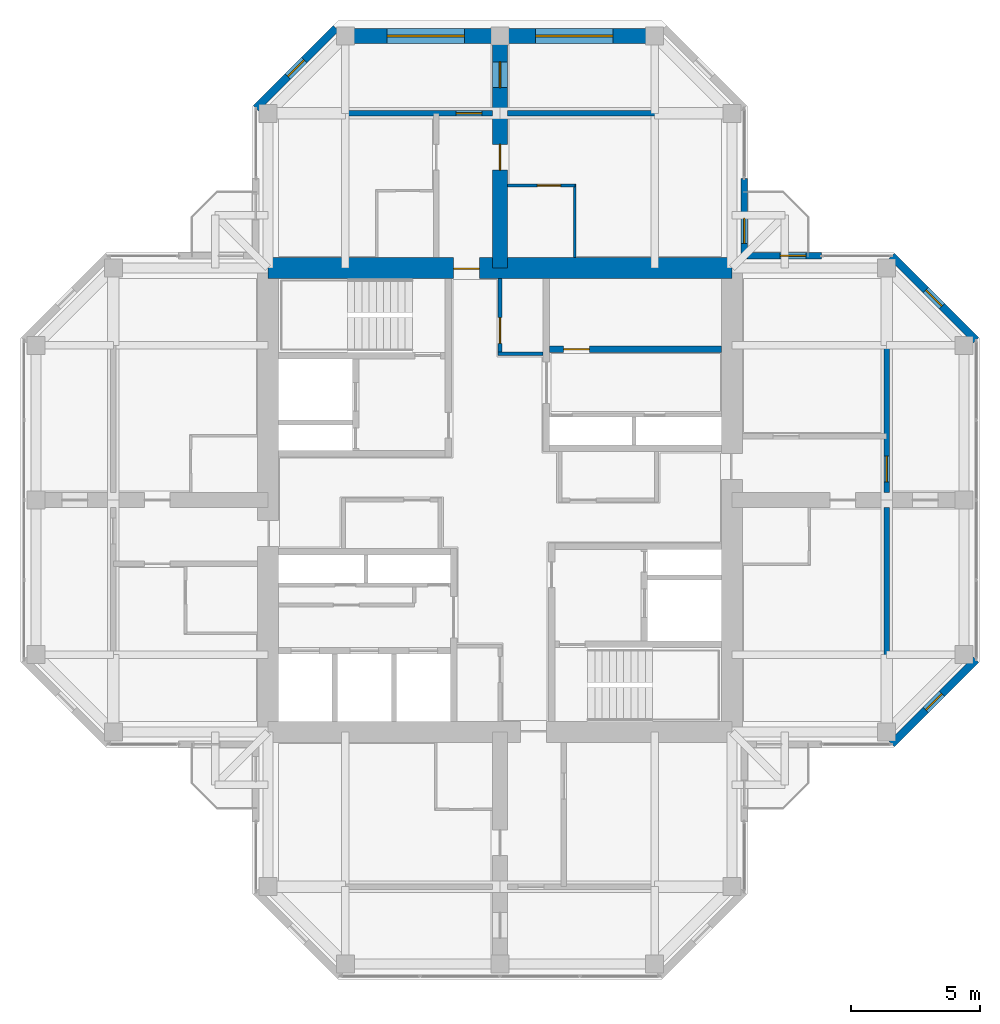
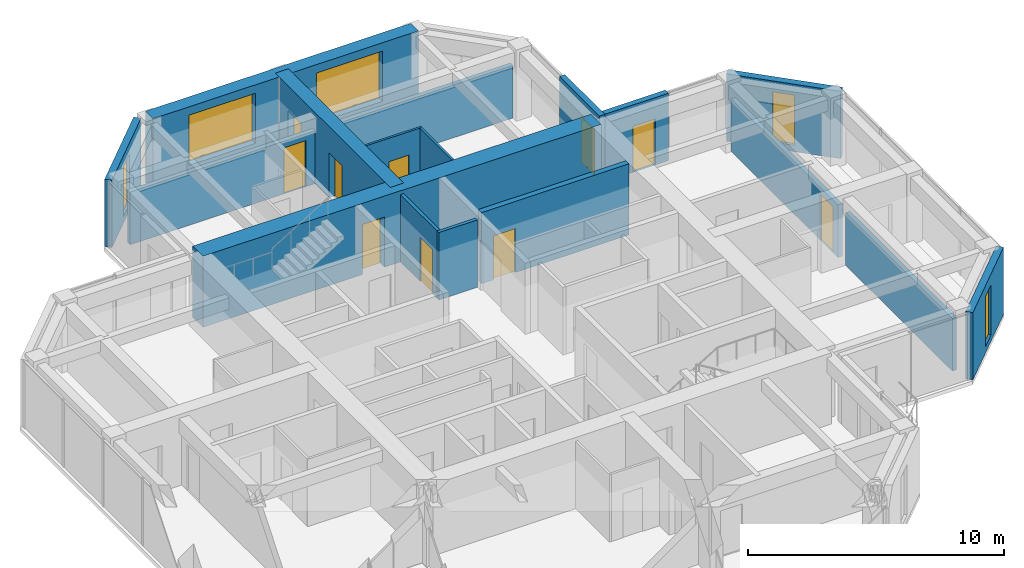
# One storey, part 11 of 13: 17 walls, 10 doors, 5 windows, 15 openings.
"""IFC4 building model written with IfcOpenShell, lengths in metres."""

import ifcopenshell
import ifcopenshell.guid

model = None  # the IFC model being written
_history = None  # IfcOwnerHistory: only IFC2X3 demands one
_inside = {}  # id of a spatial element -> (the spatial element, [elements in it])
_under = {}  # id of a project, library or spatial element -> (it, [spatial elements below it])
_declared = {}  # id of a project -> (the project, [libraries it declares])
_typed = {}  # id of a type object -> (the type object, [elements of that type])
_made_of = {}  # id of a material, layer set ... -> (it, [elements and type objects made of it])


def new_model(schema):
    """Start an empty IFC model of exactly this schema.

    Asked for "IFC4X3", IfcOpenShell would pick the latest addendum, in which some entities
    have other attributes; the version numbers below select the first issue.
    IFC2X3 requires an IfcOwnerHistory on every rooted entity: one is made here for all.
    """
    global model, _history
    if schema == "IFC4X3":
        model = ifcopenshell.file(schema_version=(4, 3, 0, 0))
    else:
        model = ifcopenshell.file(schema=schema)
    _inside.clear()
    _under.clear()
    _declared.clear()
    _typed.clear()
    _made_of.clear()
    _history = None
    if model.schema == "IFC2X3":
        org = make("IfcOrganization", Name="unknown")
        user = make(
            "IfcPersonAndOrganization",
            ThePerson=make("IfcPerson", FamilyName="unknown"),
            TheOrganization=org,
        )
        app = make(
            "IfcApplication",
            ApplicationDeveloper=org,
            Version="unknown",
            ApplicationFullName="unknown",
            ApplicationIdentifier="unknown",
        )
        _history = make(
            "IfcOwnerHistory",
            OwningUser=user,
            OwningApplication=app,
            ChangeAction="ADDED",
            CreationDate=0,
        )
    return model


def make(cls, **values):
    """One entity of the class cls with the attributes given. An attribute that is None is left unset."""
    return model.create_entity(
        cls, **{name: value for name, value in values.items() if value is not None}
    )


def rooted(cls, **values):
    """An entity with a GlobalId (a new one), such as an element, a storey or a relation."""
    return make(cls, GlobalId=ifcopenshell.guid.new(), OwnerHistory=_history, **values)


def si_unit(unit_type, name, prefix=None):
    """IfcSIUnit, for example si_unit("LENGTHUNIT", "METRE", prefix="MILLI")."""
    return make("IfcSIUnit", UnitType=unit_type, Prefix=prefix, Name=name)


def assignment(units):
    """IfcUnitAssignment: the units of a project."""
    return None if units is None else make("IfcUnitAssignment", Units=units)


def point(xyz):
    """IfcCartesianPoint."""
    return None if xyz is None else make("IfcCartesianPoint", Coordinates=xyz)


def direction(xyz):
    """IfcDirection."""
    return None if xyz is None else make("IfcDirection", DirectionRatios=xyz)


def frame(location, z_axis=None, x_axis=None):
    """IfcAxis2Placement3D, a coordinate frame: its origin and axes. An axis left out is left unset."""
    return make(
        "IfcAxis2Placement3D",
        Location=point(location),
        Axis=direction(z_axis),
        RefDirection=direction(x_axis),
    )


def frame_2d(location, x_axis=None):
    """IfcAxis2Placement2D, a coordinate frame in the plane: its origin and x axis."""
    return make(
        "IfcAxis2Placement2D", Location=point(location), RefDirection=direction(x_axis)
    )


def origin():
    """The frame at (0, 0, 0) with its axes left unset."""
    return frame((0.0, 0.0, 0.0))


def place(relative_to, where):
    """IfcLocalPlacement: puts the frame where relative to a parent placement (None: the world)."""
    return make(
        "IfcLocalPlacement", PlacementRelTo=relative_to, RelativePlacement=where
    )


def context(
    kind, dimensions, precision=None, world=None, true_north=None, identifier=None
):
    """IfcGeometricRepresentationContext, for example the 3D "Model" context."""
    return make(
        "IfcGeometricRepresentationContext",
        ContextIdentifier=identifier,
        ContextType=kind,
        CoordinateSpaceDimension=dimensions,
        Precision=precision,
        WorldCoordinateSystem=world,
        TrueNorth=true_north,
    )


def subcontext(parent, identifier, kind, view, scale=None):
    """IfcGeometricRepresentationSubContext, for example "Body" below "Model"."""
    return make(
        "IfcGeometricRepresentationSubContext",
        ContextIdentifier=identifier,
        ContextType=kind,
        ParentContext=parent,
        TargetScale=scale,
        TargetView=view,
    )


def project(units=None, contexts=None):
    """IfcProject with its units and contexts."""
    return rooted(
        "IfcProject",
        Name="project",
        RepresentationContexts=contexts,
        UnitsInContext=assignment(units),
    )


def spatial(cls, under=None, at=None, **own):
    """A site, building, storey or space (cls), placed at a placement, below another one or the project."""
    s = rooted(cls, ObjectPlacement=at, **own)
    if under is not None:
        _under.setdefault(under.id(), (under, []))[1].append(s)
    return s


def profile(cls, at=None, kind="AREA", **sizes):
    """A parametric profile (cls). Its sizes go by their IFC names, for example OverallWidth=200.0."""
    return make(cls, ProfileType=kind, Position=at, **sizes)


def rectangle(**sizes):
    """IfcRectangleProfileDef."""
    return profile("IfcRectangleProfileDef", **sizes)


def hollow_rectangle(**sizes):
    """IfcRectangleHollowProfileDef."""
    return profile("IfcRectangleHollowProfileDef", **sizes)


def extrude(swept, where, along, depth):
    """IfcExtrudedAreaSolid: the profile swept, set in the frame where, extruded along a direction by depth."""
    return make(
        "IfcExtrudedAreaSolid",
        SweptArea=swept,
        Position=where,
        ExtrudedDirection=direction(along),
        Depth=depth,
    )


def shape(context_of_items, identifier, shape_type, items):
    """IfcShapeRepresentation: the items that make up one representation, for example the "Body"."""
    return make(
        "IfcShapeRepresentation",
        ContextOfItems=context_of_items,
        RepresentationIdentifier=identifier,
        RepresentationType=shape_type,
        Items=items,
    )


def material(Name=None, Category=None):
    """IfcMaterial."""
    return make("IfcMaterial", Name=Name, Category=Category)


def layer(
    of_material, thickness, ventilated=None, Name=None, Category=None, Priority=None
):
    """IfcMaterialLayer: one layer of a wall or slab, of a material (None: an air gap)."""
    return make(
        "IfcMaterialLayer",
        Material=of_material,
        LayerThickness=thickness,
        IsVentilated=ventilated,
        Name=Name,
        Category=Category,
        Priority=Priority,
    )


def layer_set(layers, Name=None):
    """IfcMaterialLayerSet."""
    return make("IfcMaterialLayerSet", MaterialLayers=layers, LayerSetName=Name)


def constituent(of_material, Name=None, Category=None, fraction=None):
    """IfcMaterialConstituent: one of the materials an element consists of."""
    return make(
        "IfcMaterialConstituent",
        Name=Name,
        Material=of_material,
        Fraction=fraction,
        Category=Category,
    )


def constituent_set(constituents=None, Name=None):
    """IfcMaterialConstituentSet."""
    return make(
        "IfcMaterialConstituentSet", Name=Name, MaterialConstituents=constituents
    )


def made_of(thing, what):
    """Note that an element or type object is made of a material, layer set ...; save() writes the relation."""
    if what is not None:
        _made_of.setdefault(what.id(), (what, []))[1].append(thing)
    return thing


def type_object(cls, material=None, **own):
    """A type object (cls), such as IfcWallType, which elements share."""
    return made_of(rooted(cls, **own), material)


def element(
    cls,
    number,
    at=None,
    inside=None,
    cuts=None,
    type_object=None,
    material=None,
    context=None,
    identifier="Body",
    shape_type=None,
    held_by="IfcProductDefinitionShape",
    body=None,
    shapes=None,
    **own,
):
    """One element of the class cls, such as IfcWall. Its Tag is "e" and its number.

    at: its placement. inside: the storey or other place that contains it. cuts: it is an
    opening in that element (IfcRelVoidsElement). A single representation is given by context,
    identifier, shape_type and body (its items); several are given by shapes. held_by: the class
    of the entity that holds the representations. save() writes the other relations.
    """
    e = rooted(cls, Tag="e%d" % number, ObjectPlacement=at, **own)
    if body is not None:
        shapes = [shape(context, identifier, shape_type, body)]
    if shapes is not None:
        e.Representation = make(held_by, Representations=shapes)
    if inside is not None:
        _inside.setdefault(inside.id(), (inside, []))[1].append(e)
    if cuts is not None:
        rooted(
            "IfcRelVoidsElement", RelatingBuildingElement=cuts, RelatedOpeningElement=e
        )
    if type_object is not None:
        _typed.setdefault(type_object.id(), (type_object, []))[1].append(e)
    return made_of(e, material)


def fill(opening, filler):
    """IfcRelFillsElement: the door or window that sits in an opening."""
    return rooted(
        "IfcRelFillsElement",
        RelatingOpeningElement=opening,
        RelatedBuildingElement=filler,
    )


def aggregate(whole, parts):
    """IfcRelAggregates: a whole, such as a stair, and the parts it consists of."""
    return rooted("IfcRelAggregates", RelatingObject=whole, RelatedObjects=parts)


def save(model, path):
    """Write the relations noted so far, then the file.

    IfcRelAggregates (storeys below a building ...), IfcRelContainedInSpatialStructure (elements
    in a storey), IfcRelDefinesByType, IfcRelAssociatesMaterial and IfcRelDeclares: one each for
    every whole, place, type object, material and project.
    """
    for whole, parts in _under.values():
        aggregate(whole, parts)
    for where, things in _inside.values():
        rooted(
            "IfcRelContainedInSpatialStructure",
            RelatedElements=things,
            RelatingStructure=where,
        )
    for kind, things in _typed.values():
        rooted("IfcRelDefinesByType", RelatedObjects=things, RelatingType=kind)
    for what, things in _made_of.values():
        rooted("IfcRelAssociatesMaterial", RelatedObjects=things, RelatingMaterial=what)
    for by, libraries in _declared.values():
        rooted("IfcRelDeclares", RelatingContext=by, RelatedDefinitions=libraries)
    model.write(path)


model = new_model("IFC4")

# Units and contexts
model_context = context("Model", 3, precision=1e-05, world=origin(), true_north=direction((0.0, 1.0)))
body_context = subcontext(model_context, "Body", "Model", "MODEL_VIEW")
ifc_project = project(units=[si_unit("LENGTHUNIT", "METRE"), si_unit("AREAUNIT", "SQUARE_METRE"), si_unit("VOLUMEUNIT", "CUBIC_METRE"), si_unit("PLANEANGLEUNIT", "RADIAN"), si_unit("MASSUNIT", "GRAM", prefix="KILO")], contexts=[model_context])

# Site, building, storey
site_placement = place(None, origin())
site = spatial("IfcSite", under=ifc_project, at=site_placement, CompositionType="ELEMENT")
building_placement = place(site_placement, origin())
building = spatial("IfcBuilding", under=site, at=building_placement, Name="Torre Cruceta", CompositionType="ELEMENT")
storey_placement = place(building_placement, frame((0.0, 0.0, 267.89990234375)))
storey = spatial("IfcBuildingStorey", under=building, at=storey_placement, Name="L69", CompositionType="ELEMENT", Elevation=267.89990234375)

# Wall
ifc_material_1 = material(Name="Water-resistant plasterboard on steel studs", Category="steel")
ifc_layer_1 = layer(ifc_material_1, 0.10009765625)
ifc_layer_set_1 = layer_set([ifc_layer_1], Name="Water-resistant plasterboard on steel studs")
wall_type_1 = type_object("IfcWallType", Name="BATHROOM WALL 100", PredefinedType="PARTITIONING", material=ifc_layer_set_1)
wall_1_placement = place(storey_placement, frame((2.89990234375, 9.39990234375, 0.0), z_axis=(0.0, 0.0, 1.0), x_axis=(0.0, 1.0, 0.0)))
element("IfcWall", 1, at=wall_1_placement, inside=storey, type_object=wall_type_1, Name="PT4 L69-N-U1RBB", PredefinedType="PARTITIONING", context=body_context, shape_type="SweptSolid", body=[
    extrude(rectangle(XDim=2.85009765625, YDim=0.10009765625, at=frame_2d((1.425048828125, 0.0))), origin(), (0.0, 0.0, 1.0), 3.22021484375),
])

# Wall, opening, door
wall_2_placement = place(storey_placement, frame((2.89990234375, 12.199951171875, 0.0), z_axis=(0.0, 0.0, 1.0), x_axis=(-1.0, 0.0, 0.0)))
wall_2 = element("IfcWall", 2, at=wall_2_placement, inside=storey, type_object=wall_type_1, Name="PT4 L69-N-U1RBS", PredefinedType="PARTITIONING", context=body_context, shape_type="SweptSolid", body=[
    extrude(rectangle(XDim=2.599853515625, YDim=0.10009765625, at=frame_2d((1.2998046875, 0.0))), origin(), (0.0, 0.0, 1.0), 3.22021484375),
])
opening_1_placement = place(wall_2_placement, frame((0.550048828125, 0.0, 0.0)))
opening_1 = element("IfcOpeningElement", 3, at=opening_1_placement, cuts=wall_2, Name="Opening D7", PredefinedType="OPENING", context=body_context, shape_type="SweptSolid", body=[
    extrude(rectangle(XDim=0.89990234375, YDim=2.10009765625, at=frame_2d((0.449951171875, 1.050048828125))), frame((0.0, 0.06005859375, 0.0), z_axis=(0.0, -1.0, 0.0), x_axis=(1.0, 0.0, 0.0)), (0.0, 0.0, 1.0), 0.1201171875),
])
ifc_material_2 = material(Name="Timber door", Category="wood")
door_type_1 = type_object("IfcDoorType", Name="BATHROOM DOOR 900X2100", OperationType="SINGLE_SWING_LEFT", PredefinedType="DOOR", material=ifc_material_2)
door_1_placement = place(opening_1_placement, origin())
door_1 = element("IfcDoor", 4, at=door_1_placement, inside=storey, type_object=door_type_1, Name="D7 L69-N-U1RBS-D1", OperationType="SINGLE_SWING_LEFT", OverallHeight=2.10009765625, OverallWidth=0.89990234375, PredefinedType="DOOR", context=body_context, shape_type="SweptSolid", body=[
    extrude(rectangle(XDim=0.89990234375, YDim=2.10009765625, at=frame_2d((0.449951171875, 1.050048828125))), frame((0.0, 0.02490234375, 0.0), z_axis=(0.0, -1.0, 0.0), x_axis=(1.0, 0.0, 0.0)), (0.0, 0.0, 1.0), 0.050048828125),
])
fill(opening_1, door_1)

ifc_material_3 = material(Name="Concrete G60 (fck 60 MPa)", Category="concrete")
ifc_layer_2 = layer(ifc_material_3, 0.25)
ifc_layer_set_2 = layer_set([ifc_layer_2], Name="Concrete G60 (fck 60 MPa)")
wall_type_2 = type_object("IfcWallType", Name="CORE INNER WALL 250 G60", PredefinedType="SHEAR", material=ifc_layer_set_2)
wall_3_placement = place(storey_placement, frame((1.925048828125, 5.85009765625, 0.0), z_axis=(0.0, 0.0, 1.0), x_axis=(1.0, 0.0, 0.0)))
wall_3 = element("IfcWall", 5, at=wall_3_placement, inside=storey, type_object=wall_type_2, Name="CW4 L69 NE-LV", PredefinedType="SHEAR", context=body_context, shape_type="SweptSolid", body=[
    extrude(rectangle(XDim=6.675048828125, YDim=0.25, at=frame_2d((3.33740234375, 0.0))), origin(), (0.0, 0.0, 1.0), 3.400146484375),
])
opening_2_placement = place(wall_3_placement, frame((0.5458984375, 0.0, 0.0)))
opening_2 = element("IfcOpeningElement", 6, at=opening_2_placement, cuts=wall_3, Name="Opening D3", PredefinedType="OPENING", context=body_context, shape_type="SweptSolid", body=[
    extrude(rectangle(XDim=1.0, YDim=2.10009765625, at=frame_2d((0.5, 1.050048828125))), frame((0.0, 0.135009765625, 0.0), z_axis=(0.0, -1.0, 0.0), x_axis=(1.0, 0.0, 0.0)), (0.0, 0.0, 1.0), 0.27001953125),
])
ifc_material_4 = material(Name="Steel DX51D", Category="steel")
ifc_constituent_1 = constituent(ifc_material_4, Name="Leaf and frame")
ifc_material_5 = material(Name="Polyester powder coating", Category="paint")
ifc_constituent_2 = constituent(ifc_material_5, Name="Finish")
ifc_constituent_set_1 = constituent_set(constituents=[ifc_constituent_1, ifc_constituent_2], Name="Steel fire door")
door_type_2 = type_object("IfcDoorType", Name="FIRE DOOR 1000X2100", OperationType="SINGLE_SWING_LEFT", PredefinedType="DOOR", material=ifc_constituent_set_1)
door_2_placement = place(opening_2_placement, origin())
door_2 = element("IfcDoor", 7, at=door_2_placement, inside=storey, type_object=door_type_2, Name="D3 L69 NE-HR1", OperationType="SINGLE_SWING_LEFT", OverallHeight=2.10009765625, OverallWidth=1.0, PredefinedType="DOOR", context=body_context, shape_type="SweptSolid", body=[
    extrude(rectangle(XDim=1.0, YDim=2.10009765625, at=frame_2d((0.5, 1.050048828125))), frame((0.0, 0.02490234375, 0.0), z_axis=(0.0, -1.0, 0.0), x_axis=(1.0, 0.0, 0.0)), (0.0, 0.0, 1.0), 0.050048828125),
])
fill(opening_2, door_2)

ifc_material_6 = material(Name="Concrete G60 (fck 60 MPa)", Category="concrete")
ifc_layer_3 = layer(ifc_material_6, 0.800048828125)
ifc_layer_set_3 = layer_set([ifc_layer_3], Name="Concrete G60 (fck 60 MPa)")
wall_type_3 = type_object("IfcWallType", Name="CORE WALL 800 G60", PredefinedType="SHEAR", material=ifc_layer_set_3)
wall_4_placement = place(storey_placement, frame((9.0, 9.0, 0.0), z_axis=(0.0, 0.0, 1.0), x_axis=(-1.0, 0.0, 0.0)))
wall_4 = element("IfcWall", 8, at=wall_4_placement, inside=storey, type_object=wall_type_3, Name="CW3 L69 CW-N", PredefinedType="SHEAR", context=body_context, shape_type="SweptSolid", body=[
    extrude(rectangle(XDim=18.0, YDim=0.800048828125, at=frame_2d((9.0, 0.0))), origin(), (0.0, 0.0, 1.0), 3.400146484375),
])
opening_3_placement = place(wall_4_placement, frame((9.800048828125, 0.0, 0.0)))
opening_3 = element("IfcOpeningElement", 9, at=opening_3_placement, cuts=wall_4, Name="Opening D4", PredefinedType="OPENING", context=body_context, shape_type="SweptSolid", body=[
    extrude(rectangle(XDim=1.0, YDim=2.39990234375, at=frame_2d((0.5, 1.199951171875))), frame((0.0, 0.409912109375, 0.0), z_axis=(0.0, -1.0, 0.0), x_axis=(1.0, 0.0, 0.0)), (0.0, 0.0, 1.0), 0.820068359375),
])
ifc_material_7 = material(Name="Steel DX51D", Category="steel")
ifc_constituent_3 = constituent(ifc_material_7, Name="Leaf and frame")
ifc_material_8 = material(Name="Polyester powder coating", Category="paint")
ifc_constituent_4 = constituent(ifc_material_8, Name="Finish")
ifc_constituent_set_2 = constituent_set(constituents=[ifc_constituent_3, ifc_constituent_4], Name="Steel fire door")
door_type_3 = type_object("IfcDoorType", Name="CORE ARM DOOR 1000X2400", OperationType="SINGLE_SWING_RIGHT", PredefinedType="DOOR", material=ifc_constituent_set_2)
door_3_placement = place(opening_3_placement, origin())
door_3 = element("IfcDoor", 10, at=door_3_placement, inside=storey, type_object=door_type_3, Name="D4 L69 CW-N", OperationType="SINGLE_SWING_RIGHT", OverallHeight=2.39990234375, OverallWidth=1.0, PredefinedType="DOOR", context=body_context, shape_type="SweptSolid", body=[
    extrude(rectangle(XDim=1.0, YDim=2.39990234375, at=frame_2d((0.5, 1.199951171875))), frame((0.0, 0.05517578125, 0.0), z_axis=(0.0, -1.0, 0.0), x_axis=(1.0, 0.0, 0.0)), (0.0, 0.0, 1.0), 0.050048828125),
])
fill(opening_3, door_3)

# Wall, opening, window
ifc_material_9 = material(Name="Concrete G30 (fck 30 MPa)", Category="concrete")
ifc_layer_4 = layer(ifc_material_9, 0.300048828125)
ifc_layer_set_4 = layer_set([ifc_layer_4], Name="Concrete G30 (fck 30 MPa)")
wall_type_4 = type_object("IfcWallType", Name="EXPOSED CONCRETE FACADE WALL 300", PredefinedType="SOLIDWALL", material=ifc_layer_set_4)
wall_5_placement = place(storey_placement, frame((15.194580078125, -9.469970703125, 0.0), z_axis=(0.0, 0.0, 1.0), x_axis=(0.707106781187, 0.707106781187, 0.0)))
wall_5 = element("IfcWall", 11, at=wall_5_placement, inside=storey, type_object=wall_type_4, Name="EW1 facade wall L69 E chamfer 01", PredefinedType="SOLIDWALL", context=body_context, shape_type="SweptSolid", body=[
    extrude(rectangle(XDim=4.632080078125, YDim=0.300048828125, at=frame_2d((2.31591796875, 0.0))), origin(), (0.0, 0.0, 1.0), 3.22021484375),
])
opening_4_placement = place(wall_5_placement, frame((1.865966796875, 0.0, 0.300048828125)))
opening_4 = element("IfcOpeningElement", 12, at=opening_4_placement, cuts=wall_5, Name="Opening WN5", PredefinedType="OPENING", context=body_context, shape_type="SweptSolid", body=[
    extrude(rectangle(XDim=0.89990234375, YDim=2.39990234375, at=frame_2d((0.449951171875, 1.199951171875))), frame((0.0, 0.159912109375, 0.0), z_axis=(0.0, -1.0, 0.0), x_axis=(1.0, 0.0, 0.0)), (0.0, 0.0, 1.0), 0.320068359375),
])
ifc_material_10 = material(Name="Aluminium window frame", Category="aluminium")
ifc_constituent_5 = constituent(ifc_material_10, Name="Frame")
ifc_material_11 = material(Name="Laminated insulating glass unit, low-iron clear", Category="glass")
ifc_constituent_6 = constituent(ifc_material_11, Name="Glazing")
ifc_constituent_set_3 = constituent_set(constituents=[ifc_constituent_5, ifc_constituent_6], Name="Aluminium window")
window_type_1 = type_object("IfcWindowType", Name="CHAMFER SLOT WINDOW 900X2400", PartitioningType="SINGLE_PANEL", PredefinedType="WINDOW", material=ifc_constituent_set_3)
window_1_placement = place(opening_4_placement, origin())
window_1 = element("IfcWindow", 13, at=window_1_placement, inside=storey, type_object=window_type_1, Name="WN5 L69 E 1", OverallHeight=2.39990234375, OverallWidth=0.89990234375, PartitioningType="SINGLE_PANEL", PredefinedType="WINDOW", context=body_context, shape_type="SweptSolid", body=[
    extrude(hollow_rectangle(XDim=0.89990234375, YDim=2.39990234375, WallThickness=0.06005859375, at=frame_2d((0.449951171875, 1.199951171875))), frame((0.0, 0.030029296875, 0.0), z_axis=(0.0, -1.0, 0.0), x_axis=(1.0, 0.0, 0.0)), (0.0, 0.0, 1.0), 0.06005859375),
    extrude(rectangle(XDim=0.77880859375, YDim=2.27880859375, at=frame_2d((0.449951171875, 1.199951171875))), frame((0.0, 0.030029296875, 0.0), z_axis=(0.0, -1.0, 0.0), x_axis=(1.0, 0.0, 0.0)), (0.0, 0.0, 1.0), 0.06005859375),
])
fill(opening_4, window_1)

wall_6_placement = place(storey_placement, frame((18.469970703125, 6.194580078125, 0.0), z_axis=(0.0, 0.0, 1.0), x_axis=(-0.707106781187, 0.707106781187, 0.0)))
wall_6 = element("IfcWall", 14, at=wall_6_placement, inside=storey, type_object=wall_type_4, Name="EW1 facade wall L69 E chamfer 03", PredefinedType="SOLIDWALL", context=body_context, shape_type="SweptSolid", body=[
    extrude(rectangle(XDim=4.632080078125, YDim=0.300048828125, at=frame_2d((2.31591796875, 0.0))), origin(), (0.0, 0.0, 1.0), 3.22021484375),
])
opening_5_placement = place(wall_6_placement, frame((1.865966796875, 0.0, 0.300048828125)))
opening_5 = element("IfcOpeningElement", 15, at=opening_5_placement, cuts=wall_6, Name="Opening WN5", PredefinedType="OPENING", context=body_context, shape_type="SweptSolid", body=[
    extrude(rectangle(XDim=0.89990234375, YDim=2.39990234375, at=frame_2d((0.449951171875, 1.199951171875))), frame((0.0, 0.159912109375, 0.0), z_axis=(0.0, -1.0, 0.0), x_axis=(1.0, 0.0, 0.0)), (0.0, 0.0, 1.0), 0.320068359375),
])
window_2_placement = place(opening_5_placement, origin())
window_2 = element("IfcWindow", 16, at=window_2_placement, inside=storey, type_object=window_type_1, Name="WN5 L69 E 1", OverallHeight=2.39990234375, OverallWidth=0.89990234375, PartitioningType="SINGLE_PANEL", PredefinedType="WINDOW", context=body_context, shape_type="SweptSolid", body=[
    extrude(hollow_rectangle(XDim=0.89990234375, YDim=2.39990234375, WallThickness=0.06005859375, at=frame_2d((0.449951171875, 1.199951171875))), frame((0.0, 0.030029296875, 0.0), z_axis=(0.0, -1.0, 0.0), x_axis=(1.0, 0.0, 0.0)), (0.0, 0.0, 1.0), 0.06005859375),
    extrude(rectangle(XDim=0.77880859375, YDim=2.27880859375, at=frame_2d((0.449951171875, 1.199951171875))), frame((0.0, 0.030029296875, 0.0), z_axis=(0.0, -1.0, 0.0), x_axis=(1.0, 0.0, 0.0)), (0.0, 0.0, 1.0), 0.06005859375),
])
fill(opening_5, window_2)

wall_7_placement = place(storey_placement, frame((-6.36474609375, 18.300048828125, 0.0), z_axis=(0.0, 0.0, 1.0), x_axis=(-0.70707898447, -0.707134576811, 0.0)))
wall_7 = element("IfcWall", 17, at=wall_7_placement, inside=storey, type_object=wall_type_4, Name="EW1 facade wall L69 N chamfer 08", PredefinedType="SOLIDWALL", context=body_context, shape_type="SweptSolid", body=[
    extrude(rectangle(XDim=4.3916015625, YDim=0.300048828125, at=frame_2d((2.19580078125, 0.0))), origin(), (0.0, 0.0, 1.0), 3.22021484375),
])
opening_6_placement = place(wall_7_placement, frame((1.745849609375, 0.0, 0.300048828125)))
opening_6 = element("IfcOpeningElement", 18, at=opening_6_placement, cuts=wall_7, Name="Opening WN5", PredefinedType="OPENING", context=body_context, shape_type="SweptSolid", body=[
    extrude(rectangle(XDim=0.89990234375, YDim=2.39990234375, at=frame_2d((0.449951171875, 1.199951171875))), frame((0.0, 0.159912109375, 0.0), z_axis=(0.0, -1.0, 0.0), x_axis=(1.0, 0.0, 0.0)), (0.0, 0.0, 1.0), 0.320068359375),
])
window_3_placement = place(opening_6_placement, origin())
window_3 = element("IfcWindow", 19, at=window_3_placement, inside=storey, type_object=window_type_1, Name="WN5 L69 N 1", OverallHeight=2.39990234375, OverallWidth=0.89990234375, PartitioningType="SINGLE_PANEL", PredefinedType="WINDOW", context=body_context, shape_type="SweptSolid", body=[
    extrude(hollow_rectangle(XDim=0.89990234375, YDim=2.39990234375, WallThickness=0.06005859375, at=frame_2d((0.449951171875, 1.199951171875))), frame((0.0, 0.030029296875, 0.0), z_axis=(0.0, -1.0, 0.0), x_axis=(1.0, 0.0, 0.0)), (0.0, 0.0, 1.0), 0.06005859375),
    extrude(rectangle(XDim=0.77880859375, YDim=2.27880859375, at=frame_2d((0.449951171875, 1.199951171875))), frame((0.0, 0.030029296875, 0.0), z_axis=(0.0, -1.0, 0.0), x_axis=(1.0, 0.0, 0.0)), (0.0, 0.0, 1.0), 0.06005859375),
])
fill(opening_6, window_3)

# Wall, openings, windows
ifc_material_12 = material(Name="Concrete G60 (fck 60 MPa)", Category="concrete")
ifc_layer_5 = layer(ifc_material_12, 0.60009765625)
ifc_layer_set_5 = layer_set([ifc_layer_5], Name="Concrete G60 (fck 60 MPa)")
wall_type_5 = type_object("IfcWallType", Name="NOSE WALL 600 G60", PredefinedType="SHEAR", material=ifc_layer_set_5)
wall_8_placement = place(storey_placement, frame((6.0, 18.0, 0.0), z_axis=(0.0, 0.0, 1.0), x_axis=(-1.0, 0.0, 0.0)))
wall_8 = element("IfcWall", 20, at=wall_8_placement, inside=storey, type_object=wall_type_5, Name="NW3 nose wall L69 N", PredefinedType="SHEAR", context=body_context, shape_type="SweptSolid", body=[
    extrude(rectangle(XDim=12.0, YDim=0.60009765625, at=frame_2d((6.0, 0.0))), origin(), (0.0, 0.0, 1.0), 3.400146484375),
])
opening_7_placement = place(wall_8_placement, frame((1.625, 0.0, 0.60009765625)))
opening_7 = element("IfcOpeningElement", 21, at=opening_7_placement, cuts=wall_8, Name="Opening WN6", PredefinedType="OPENING", context=body_context, shape_type="SweptSolid", body=[
    extrude(rectangle(XDim=3.0, YDim=2.39990234375, at=frame_2d((1.5, 1.199951171875))), frame((0.0, 0.31005859375, 0.0), z_axis=(0.0, -1.0, 0.0), x_axis=(1.0, 0.0, 0.0)), (0.0, 0.0, 1.0), 0.6201171875),
])
opening_8_placement = place(wall_8_placement, frame((7.375, 0.0, 0.60009765625)))
opening_8 = element("IfcOpeningElement", 22, at=opening_8_placement, cuts=wall_8, Name="Opening WN6", PredefinedType="OPENING", context=body_context, shape_type="SweptSolid", body=[
    extrude(rectangle(XDim=3.0, YDim=2.39990234375, at=frame_2d((1.5, 1.199951171875))), frame((0.0, 0.31005859375, 0.0), z_axis=(0.0, -1.0, 0.0), x_axis=(1.0, 0.0, 0.0)), (0.0, 0.0, 1.0), 0.6201171875),
])
ifc_material_13 = material(Name="Aluminium window frame", Category="aluminium")
ifc_constituent_7 = constituent(ifc_material_13, Name="Frame")
ifc_material_14 = material(Name="Laminated insulating glass unit, low-iron clear", Category="glass")
ifc_constituent_8 = constituent(ifc_material_14, Name="Glazing")
ifc_constituent_set_4 = constituent_set(constituents=[ifc_constituent_7, ifc_constituent_8], Name="Aluminium window")
window_type_2 = type_object("IfcWindowType", Name="NOSE WALL WINDOW 3000X2400", PartitioningType="SINGLE_PANEL", PredefinedType="WINDOW", material=ifc_constituent_set_4)
window_4_placement = place(opening_7_placement, origin())
window_4 = element("IfcWindow", 23, at=window_4_placement, inside=storey, type_object=window_type_2, Name="WN6 L69 N 1", OverallHeight=2.39990234375, OverallWidth=3.0, PartitioningType="SINGLE_PANEL", PredefinedType="WINDOW", context=body_context, shape_type="SweptSolid", body=[
    extrude(hollow_rectangle(XDim=3.0, YDim=2.39990234375, WallThickness=0.06005859375, at=frame_2d((1.5, 1.199951171875))), frame((0.0, 0.030029296875, 0.0), z_axis=(0.0, -1.0, 0.0), x_axis=(1.0, 0.0, 0.0)), (0.0, 0.0, 1.0), 0.06005859375),
    extrude(rectangle(XDim=2.87890625, YDim=2.27880859375, at=frame_2d((1.5, 1.199951171875))), frame((0.0, 0.030029296875, 0.0), z_axis=(0.0, -1.0, 0.0), x_axis=(1.0, 0.0, 0.0)), (0.0, 0.0, 1.0), 0.06005859375),
])
fill(opening_7, window_4)
window_5_placement = place(opening_8_placement, origin())
window_5 = element("IfcWindow", 24, at=window_5_placement, inside=storey, type_object=window_type_2, Name="WN6 L69 N 2", OverallHeight=2.39990234375, OverallWidth=3.0, PartitioningType="SINGLE_PANEL", PredefinedType="WINDOW", context=body_context, shape_type="SweptSolid", body=[
    extrude(hollow_rectangle(XDim=3.0, YDim=2.39990234375, WallThickness=0.06005859375, at=frame_2d((1.5, 1.199951171875))), frame((0.0, 0.030029296875, 0.0), z_axis=(0.0, -1.0, 0.0), x_axis=(1.0, 0.0, 0.0)), (0.0, 0.0, 1.0), 0.06005859375),
    extrude(rectangle(XDim=2.87890625, YDim=2.27880859375, at=frame_2d((1.5, 1.199951171875))), frame((0.0, 0.030029296875, 0.0), z_axis=(0.0, -1.0, 0.0), x_axis=(1.0, 0.0, 0.0)), (0.0, 0.0, 1.0), 0.06005859375),
])
fill(opening_8, window_5)

# Wall, opening, door
ifc_material_15 = material(Name="Plasterboard on steel studs", Category="steel")
ifc_layer_6 = layer(ifc_material_15, 0.14990234375)
ifc_layer_set_6 = layer_set([ifc_layer_6], Name="Plasterboard on steel studs")
wall_type_6 = type_object("IfcWallType", Name="PARTITION 150", PredefinedType="PARTITIONING", material=ifc_layer_set_6)
wall_9_placement = place(storey_placement, frame((0.0, 5.675048828125, 0.0), z_axis=(0.0, 0.0, 1.0), x_axis=(0.0, 1.0, 0.0)))
wall_9 = element("IfcWall", 25, at=wall_9_placement, inside=storey, type_object=wall_type_6, Name="PT1 L69-CORE-LEGN-E-W1", PredefinedType="PARTITIONING", context=body_context, shape_type="SweptSolid", body=[
    extrude(rectangle(XDim=2.925048828125, YDim=0.14990234375, at=frame_2d((1.46240234375, 0.0))), origin(), (0.0, 0.0, 1.0), 3.22021484375),
])
opening_9_placement = place(wall_9_placement, frame((0.39990234375, 0.0, 0.0)))
opening_9 = element("IfcOpeningElement", 26, at=opening_9_placement, cuts=wall_9, Name="Opening D3", PredefinedType="OPENING", context=body_context, shape_type="SweptSolid", body=[
    extrude(rectangle(XDim=1.0, YDim=2.10009765625, at=frame_2d((0.5, 1.050048828125))), frame((0.0, 0.0849609375, 0.0), z_axis=(0.0, -1.0, 0.0), x_axis=(1.0, 0.0, 0.0)), (0.0, 0.0, 1.0), 0.169921875),
])
door_4_placement = place(opening_9_placement, frame((1.0, 0.0, 0.0), z_axis=(0.0, 0.0, 1.0), x_axis=(-1.0, 0.0, 0.0)))
door_4 = element("IfcDoor", 27, at=door_4_placement, inside=storey, type_object=door_type_2, Name="D3 L69-CORE-LEGN-E-W1-D1", OperationType="SINGLE_SWING_RIGHT", OverallHeight=2.10009765625, OverallWidth=1.0, PredefinedType="DOOR", context=body_context, shape_type="SweptSolid", body=[
    extrude(rectangle(XDim=1.0, YDim=2.10009765625, at=frame_2d((0.5, 1.050048828125))), frame((0.0, 0.025146484375, 0.0), z_axis=(0.0, -1.0, 0.0), x_axis=(1.0, 0.0, 0.0)), (0.0, 0.0, 1.0), 0.050048828125),
])
fill(opening_9, door_4)

# Wall
wall_10_placement = place(storey_placement, frame((1.675048828125, 5.675048828125, 0.0), z_axis=(0.0, 0.0, 1.0), x_axis=(-1.0, 0.0, 0.0)))
element("IfcWall", 28, at=wall_10_placement, inside=storey, type_object=wall_type_6, Name="PT1 L69-CORE-LEGN-E-W2", PredefinedType="PARTITIONING", context=body_context, shape_type="SweptSolid", body=[
    extrude(rectangle(XDim=1.75, YDim=0.14990234375, at=frame_2d((0.875, 0.0))), origin(), (0.0, 0.0, 1.0), 3.22021484375),
])

# Wall, openings, doors
ifc_material_16 = material(Name="Concrete G60 (fck 60 MPa)", Category="concrete")
ifc_layer_7 = layer(ifc_material_16, 0.60009765625)
ifc_layer_set_7 = layer_set([ifc_layer_7], Name="Concrete G60 (fck 60 MPa)")
wall_type_7 = type_object("IfcWallType", Name="SPINE WALL 600 G60", PredefinedType="SHEAR", material=ifc_layer_set_7)
wall_11_placement = place(storey_placement, frame((0.0, 9.0, 0.0), z_axis=(0.0, 0.0, 1.0), x_axis=(0.0, 1.0, 0.0)))
wall_11 = element("IfcWall", 29, at=wall_11_placement, inside=storey, type_object=wall_type_7, Name="SW5 spine wall L69 N", PredefinedType="SHEAR", context=body_context, shape_type="SweptSolid", body=[
    extrude(rectangle(XDim=9.0, YDim=0.60009765625, at=frame_2d((4.5, 0.0))), origin(), (0.0, 0.0, 1.0), 3.400146484375),
])
opening_10_placement = place(wall_11_placement, frame((3.800048828125, 0.0, 0.0)))
opening_10 = element("IfcOpeningElement", 30, at=opening_10_placement, cuts=wall_11, Name="Opening D6", PredefinedType="OPENING", context=body_context, shape_type="SweptSolid", body=[
    extrude(rectangle(XDim=1.0, YDim=2.14990234375, at=frame_2d((0.5, 1.074951171875))), frame((0.0, 0.31005859375, 0.0), z_axis=(0.0, -1.0, 0.0), x_axis=(1.0, 0.0, 0.0)), (0.0, 0.0, 1.0), 0.6201171875),
])
opening_11_placement = place(wall_11_placement, frame((7.0, 0.0, 0.0)))
opening_11 = element("IfcOpeningElement", 31, at=opening_11_placement, cuts=wall_11, Name="Opening D14", PredefinedType="OPENING", context=body_context, shape_type="SweptSolid", body=[
    extrude(rectangle(XDim=1.0, YDim=2.199951171875, at=frame_2d((0.5, 1.10009765625))), frame((0.0, 0.31005859375, 0.0), z_axis=(0.0, -1.0, 0.0), x_axis=(1.0, 0.0, 0.0)), (0.0, 0.0, 1.0), 0.6201171875),
])
ifc_material_17 = material(Name="Steel DX51D", Category="steel")
ifc_constituent_9 = constituent(ifc_material_17, Name="Leaf and frame")
ifc_material_18 = material(Name="Polyester powder coating", Category="paint")
ifc_constituent_10 = constituent(ifc_material_18, Name="Finish")
ifc_material_19 = material(Name="Fire-resisting glass", Category="glass")
ifc_constituent_11 = constituent(ifc_material_19, Name="Vision panel")
ifc_constituent_set_5 = constituent_set(constituents=[ifc_constituent_9, ifc_constituent_10, ifc_constituent_11], Name="Steel fire door with vision panel")
door_type_4 = type_object("IfcDoorType", Name="FIRE DOOR VISION PANEL 1000X2200", OperationType="SINGLE_SWING_RIGHT", PredefinedType="DOOR", material=ifc_constituent_set_5)
door_5_placement = place(opening_11_placement, origin())
door_5 = element("IfcDoor", 32, at=door_5_placement, inside=storey, type_object=door_type_4, Name="D14 L69-N-SP2", OperationType="SINGLE_SWING_RIGHT", OverallHeight=2.199951171875, OverallWidth=1.0, PredefinedType="DOOR", context=body_context, shape_type="SweptSolid", body=[
    extrude(rectangle(XDim=1.0, YDim=2.199951171875, at=frame_2d((0.5, 1.10009765625))), frame((0.0, 0.02490234375, 0.0), z_axis=(0.0, -1.0, 0.0), x_axis=(1.0, 0.0, 0.0)), (0.0, 0.0, 1.0), 0.050048828125),
])
fill(opening_11, door_5)
ifc_material_20 = material(Name="Timber fire door", Category="wood")
door_type_5 = type_object("IfcDoorType", Name="UNIT ENTRANCE DOOR 1000X2150", OperationType="SINGLE_SWING_LEFT", PredefinedType="DOOR", material=ifc_material_20)
door_6_placement = place(opening_10_placement, frame((1.0, 0.0, 0.0), z_axis=(0.0, 0.0, 1.0), x_axis=(-1.0, 0.0, 0.0)))
door_6 = element("IfcDoor", 33, at=door_6_placement, inside=storey, type_object=door_type_5, Name="D6 L69-N-SP1", OperationType="SINGLE_SWING_RIGHT", OverallHeight=2.14990234375, OverallWidth=1.0, PredefinedType="DOOR", context=body_context, shape_type="SweptSolid", body=[
    extrude(rectangle(XDim=1.0, YDim=2.14990234375, at=frame_2d((0.5, 1.074951171875))), frame((0.0, 0.025146484375, 0.0), z_axis=(0.0, -1.0, 0.0), x_axis=(1.0, 0.0, 0.0)), (0.0, 0.0, 1.0), 0.050048828125),
])
fill(opening_10, door_6)

# Wall
ifc_material_21 = material(Name="Concrete G25 (fck 25 MPa)", Category="concrete")
ifc_layer_8 = layer(ifc_material_21, 0.199951171875)
ifc_layer_set_8 = layer_set([ifc_layer_8], Name="Concrete G25 (fck 25 MPa)")
wall_type_8 = type_object("IfcWallType", Name="UNIT SEPARATING WALL 200", PredefinedType="SOLIDWALL", material=ifc_layer_set_8)
wall_12_placement = place(storey_placement, frame((8.64990234375, 15.0, 0.0), z_axis=(0.0, 0.0, 1.0), x_axis=(-1.0, 0.0, 0.0)))
element("IfcWall", 34, at=wall_12_placement, inside=storey, type_object=wall_type_8, Name="PT2 L69-N-ENDa", PredefinedType="SOLIDWALL", context=body_context, shape_type="SweptSolid", body=[
    extrude(rectangle(XDim=8.349853515625, YDim=0.199951171875, at=frame_2d((4.1748046875, 0.0))), origin(), (0.0, 0.0, 1.0), 2.52001953125),
])

# Wall, opening, door
wall_13_placement = place(storey_placement, frame((-0.300048828125, 15.0, 0.0), z_axis=(0.0, 0.0, 1.0), x_axis=(-1.0, 0.0, 0.0)))
wall_13 = element("IfcWall", 35, at=wall_13_placement, inside=storey, type_object=wall_type_8, Name="PT2 L69-N-ENDb", PredefinedType="SOLIDWALL", context=body_context, shape_type="SweptSolid", body=[
    extrude(rectangle(XDim=8.349853515625, YDim=0.199951171875, at=frame_2d((4.1748046875, 0.0))), origin(), (0.0, 0.0, 1.0), 2.52001953125),
])
opening_12_placement = place(wall_13_placement, frame((0.39990234375, 0.0, 0.0)))
opening_12 = element("IfcOpeningElement", 36, at=opening_12_placement, cuts=wall_13, Name="Opening D14", PredefinedType="OPENING", context=body_context, shape_type="SweptSolid", body=[
    extrude(rectangle(XDim=1.0, YDim=2.199951171875, at=frame_2d((0.5, 1.10009765625))), frame((0.0, 0.10986328125, 0.0), z_axis=(0.0, -1.0, 0.0), x_axis=(1.0, 0.0, 0.0)), (0.0, 0.0, 1.0), 0.219970703125),
])
door_7_placement = place(opening_12_placement, frame((1.0, 0.0, 0.0), z_axis=(0.0, 0.0, 1.0), x_axis=(-1.0, 0.0, 0.0)))
door_7 = element("IfcDoor", 37, at=door_7_placement, inside=storey, type_object=door_type_4, Name="D14 L69-N-ENDb-D1", OperationType="SINGLE_SWING_RIGHT", OverallHeight=2.199951171875, OverallWidth=1.0, PredefinedType="DOOR", context=body_context, shape_type="SweptSolid", body=[
    extrude(rectangle(XDim=1.0, YDim=2.199951171875, at=frame_2d((0.5, 1.10009765625))), frame((0.0, 0.025146484375, 0.0), z_axis=(0.0, -1.0, 0.0), x_axis=(1.0, 0.0, 0.0)), (0.0, 0.0, 1.0), 0.050048828125),
])
fill(opening_12, door_7)

# Wall
wall_14_placement = place(storey_placement, frame((15.0, -8.64990234375, 0.0), z_axis=(0.0, 0.0, 1.0), x_axis=(0.0, 1.0, 0.0)))
element("IfcWall", 38, at=wall_14_placement, inside=storey, type_object=wall_type_8, Name="PT2 L69-E-ENDa", PredefinedType="SOLIDWALL", context=body_context, shape_type="SweptSolid", body=[
    extrude(rectangle(XDim=8.349853515625, YDim=0.199951171875, at=frame_2d((4.1748046875, 0.0))), origin(), (0.0, 0.0, 1.0), 2.52001953125),
])

# Wall, opening, door
wall_15_placement = place(storey_placement, frame((15.0, 0.300048828125, 0.0), z_axis=(0.0, 0.0, 1.0), x_axis=(0.0, 1.0, 0.0)))
wall_15 = element("IfcWall", 39, at=wall_15_placement, inside=storey, type_object=wall_type_8, Name="PT2 L69-E-ENDb", PredefinedType="SOLIDWALL", context=body_context, shape_type="SweptSolid", body=[
    extrude(rectangle(XDim=8.349853515625, YDim=0.199951171875, at=frame_2d((4.1748046875, 0.0))), origin(), (0.0, 0.0, 1.0), 2.52001953125),
])
opening_13_placement = place(wall_15_placement, frame((0.39990234375, 0.0, 0.0)))
opening_13 = element("IfcOpeningElement", 40, at=opening_13_placement, cuts=wall_15, Name="Opening D14", PredefinedType="OPENING", context=body_context, shape_type="SweptSolid", body=[
    extrude(rectangle(XDim=1.0, YDim=2.199951171875, at=frame_2d((0.5, 1.10009765625))), frame((0.0, 0.10986328125, 0.0), z_axis=(0.0, -1.0, 0.0), x_axis=(1.0, 0.0, 0.0)), (0.0, 0.0, 1.0), 0.219970703125),
])
door_8_placement = place(opening_13_placement, frame((1.0, 0.0, 0.0), z_axis=(0.0, 0.0, 1.0), x_axis=(-1.0, 0.0, 0.0)))
door_8 = element("IfcDoor", 41, at=door_8_placement, inside=storey, type_object=door_type_4, Name="D14 L69-E-ENDb-D1", OperationType="SINGLE_SWING_LEFT", OverallHeight=2.199951171875, OverallWidth=1.0, PredefinedType="DOOR", context=body_context, shape_type="SweptSolid", body=[
    extrude(rectangle(XDim=1.0, YDim=2.199951171875, at=frame_2d((0.5, 1.10009765625))), frame((0.0, 0.025146484375, 0.0), z_axis=(0.0, -1.0, 0.0), x_axis=(1.0, 0.0, 0.0)), (0.0, 0.0, 1.0), 0.050048828125),
])
fill(opening_13, door_8)

ifc_material_22 = material(Name="Concrete G30 (fck 30 MPa)", Category="concrete")
ifc_layer_9 = layer(ifc_material_22, 0.25)
ifc_layer_set_9 = layer_set([ifc_layer_9], Name="Concrete G30 (fck 30 MPa)")
wall_type_9 = type_object("IfcWallType", Name="WINTER GARDEN WALL 250", PredefinedType="SOLIDWALL", material=ifc_layer_set_9)
wall_16_placement = place(storey_placement, frame((12.469970703125, 9.469970703125, 0.0), z_axis=(0.0, 0.0, 1.0), x_axis=(-1.0, 0.0, 0.0)))
wall_16 = element("IfcWall", 42, at=wall_16_placement, inside=storey, type_object=wall_type_9, Name="EW2 winter garden wall L69 04", PredefinedType="SOLIDWALL", context=body_context, shape_type="SweptSolid", body=[
    extrude(rectangle(XDim=2.875, YDim=0.25, at=frame_2d((1.4375, 0.0))), origin(), (0.0, 0.0, 1.0), 3.22021484375),
])
opening_14_placement = place(wall_16_placement, frame((0.60009765625, 0.0, 0.0)))
opening_14 = element("IfcOpeningElement", 43, at=opening_14_placement, cuts=wall_16, Name="Opening D10", PredefinedType="OPENING", context=body_context, shape_type="SweptSolid", body=[
    extrude(rectangle(XDim=1.0, YDim=2.199951171875, at=frame_2d((0.5, 1.10009765625))), frame((0.0, 0.135009765625, 0.0), z_axis=(0.0, -1.0, 0.0), x_axis=(1.0, 0.0, 0.0)), (0.0, 0.0, 1.0), 0.27001953125),
])
ifc_material_23 = material(Name="Aluminium door frame", Category="aluminium")
ifc_constituent_12 = constituent(ifc_material_23, Name="Frame")
ifc_material_24 = material(Name="Laminated safety glass", Category="glass")
ifc_constituent_13 = constituent(ifc_material_24, Name="Glazing")
ifc_constituent_set_6 = constituent_set(constituents=[ifc_constituent_12, ifc_constituent_13], Name="Aluminium glazed door")
door_type_6 = type_object("IfcDoorType", Name="BALCONY DOOR 1000X2200", OperationType="SINGLE_SWING_RIGHT", PredefinedType="DOOR", material=ifc_constituent_set_6)
door_9_placement = place(opening_14_placement, origin())
door_9 = element("IfcDoor", 44, at=door_9_placement, inside=storey, type_object=door_type_6, Name="D10 balcony door L69 04", OperationType="SINGLE_SWING_RIGHT", OverallHeight=2.199951171875, OverallWidth=1.0, PredefinedType="DOOR", context=body_context, shape_type="SweptSolid", body=[
    extrude(hollow_rectangle(XDim=1.0, YDim=2.199951171875, WallThickness=0.06005859375, at=frame_2d((0.5, 1.10009765625))), frame((0.0, 0.02490234375, 0.0), z_axis=(0.0, -1.0, 0.0), x_axis=(1.0, 0.0, 0.0)), (0.0, 0.0, 1.0), 0.050048828125),
    extrude(rectangle(XDim=0.87890625, YDim=2.078857421875, at=frame_2d((0.5, 1.10009765625))), frame((0.0, 0.02490234375, 0.0), z_axis=(0.0, -1.0, 0.0), x_axis=(1.0, 0.0, 0.0)), (0.0, 0.0, 1.0), 0.050048828125),
])
fill(opening_14, door_9)

wall_17_placement = place(storey_placement, frame((9.469970703125, 9.344970703125, 0.0), z_axis=(0.0, 0.0, 1.0), x_axis=(0.0, 1.0, 0.0)))
wall_17 = element("IfcWall", 45, at=wall_17_placement, inside=storey, type_object=wall_type_9, Name="EW2 winter garden wall L69 05", PredefinedType="SOLIDWALL", context=body_context, shape_type="SweptSolid", body=[
    extrude(rectangle(XDim=3.125, YDim=0.25, at=frame_2d((1.5625, 0.0))), origin(), (0.0, 0.0, 1.0), 3.22021484375),
])
opening_15_placement = place(wall_17_placement, frame((0.60009765625, 0.0, 0.0)))
opening_15 = element("IfcOpeningElement", 46, at=opening_15_placement, cuts=wall_17, Name="Opening D10", PredefinedType="OPENING", context=body_context, shape_type="SweptSolid", body=[
    extrude(rectangle(XDim=1.0, YDim=2.199951171875, at=frame_2d((0.5, 1.10009765625))), frame((0.0, 0.135009765625, 0.0), z_axis=(0.0, -1.0, 0.0), x_axis=(1.0, 0.0, 0.0)), (0.0, 0.0, 1.0), 0.27001953125),
])
door_10_placement = place(opening_15_placement, origin())
door_10 = element("IfcDoor", 47, at=door_10_placement, inside=storey, type_object=door_type_6, Name="D10 balcony door L69 05", OperationType="SINGLE_SWING_LEFT", OverallHeight=2.199951171875, OverallWidth=1.0, PredefinedType="DOOR", context=body_context, shape_type="SweptSolid", body=[
    extrude(hollow_rectangle(XDim=1.0, YDim=2.199951171875, WallThickness=0.06005859375, at=frame_2d((0.5, 1.10009765625))), frame((0.0, 0.02490234375, 0.0), z_axis=(0.0, -1.0, 0.0), x_axis=(1.0, 0.0, 0.0)), (0.0, 0.0, 1.0), 0.050048828125),
    extrude(rectangle(XDim=0.87890625, YDim=2.078857421875, at=frame_2d((0.5, 1.10009765625))), frame((0.0, 0.02490234375, 0.0), z_axis=(0.0, -1.0, 0.0), x_axis=(1.0, 0.0, 0.0)), (0.0, 0.0, 1.0), 0.050048828125),
])
fill(opening_15, door_10)

save(model, "model.ifc")
